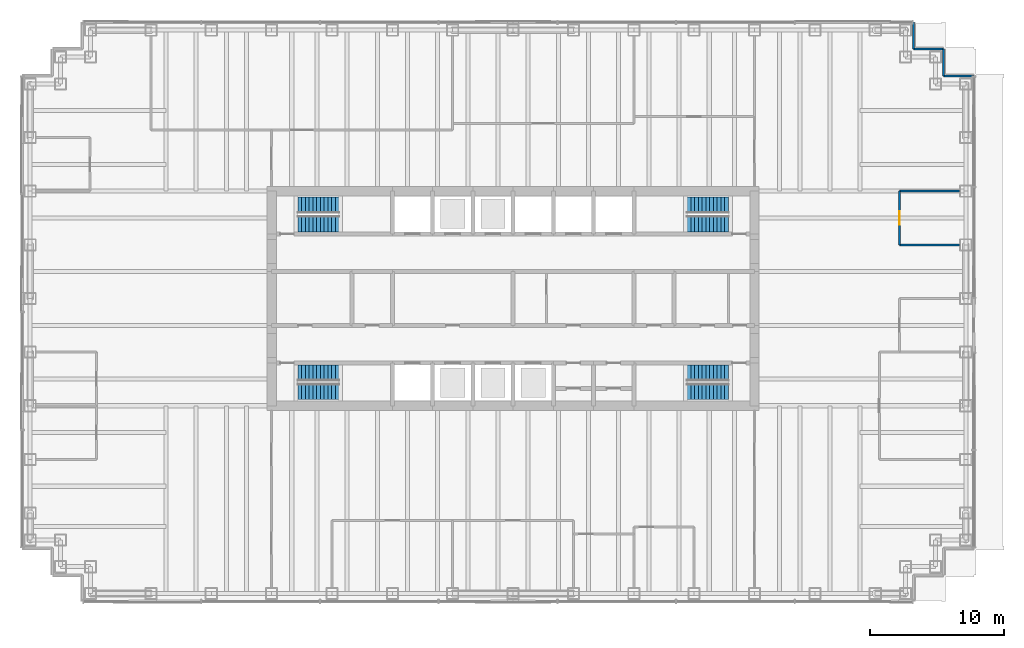
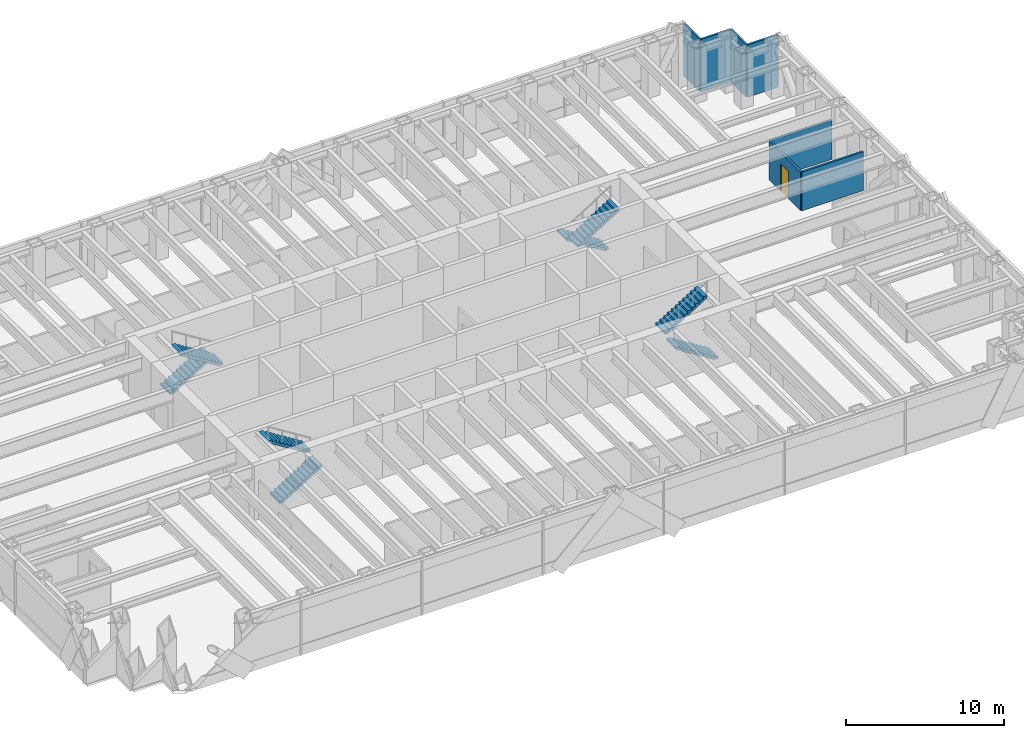
# One storey, part 10 of 12: 8 stair flights, 7 walls, 1 door, 1 opening, 4 elements without a shape of their own.
"""IFC4 building model written with IfcOpenShell, lengths in metres."""

from ifc_helpers import new_model, si_unit, direction, frame, frame_2d, origin, place, context, subcontext, project, spatial, polyline, rectangle, outline, extrude, material, layer, layer_set, type_object, element, fill, aggregate, save


model = new_model("IFC4")

# Units and contexts
model_context = context("Model", 3, precision=1e-05, world=origin(), true_north=direction((0.0, 1.0)))
body_context = subcontext(model_context, "Body", "Model", "MODEL_VIEW")
ifc_project = project(units=[si_unit("LENGTHUNIT", "METRE"), si_unit("AREAUNIT", "SQUARE_METRE"), si_unit("VOLUMEUNIT", "CUBIC_METRE"), si_unit("PLANEANGLEUNIT", "RADIAN"), si_unit("MASSUNIT", "GRAM", prefix="KILO")], contexts=[model_context])

# Site, building, storey
site_placement = place(None, origin())
site = spatial("IfcSite", under=ifc_project, at=site_placement, CompositionType="ELEMENT")
building_placement = place(site_placement, origin())
building = spatial("IfcBuilding", under=site, at=building_placement, Name="Rheinbord Bourse Tower", CompositionType="ELEMENT")
storey_placement = place(building_placement, frame((0.0, 0.0, 271.10009765625)))
storey = spatial("IfcBuildingStorey", under=building, at=storey_placement, Name="L61", CompositionType="ELEMENT", Elevation=271.10009765625)

# Walls
ifc_material_1 = material(Name="Black metal rainscreen panel", Category="aluminium")
ifc_layer_1 = layer(ifc_material_1, 0.14990234375)
ifc_layer_set_1 = layer_set([ifc_layer_1], Name="CORNER PIER CLADDING 150")
wall_type_1 = type_object("IfcWallType", Name="CORNER PIER CLADDING 150", PredefinedType="ELEMENTEDWALL", material=ifc_layer_set_1)
wall_1_placement = place(storey_placement, frame((70.35009765625, 40.60009765625, 0.0), z_axis=(0.0, 0.0, 1.0), x_axis=(-1.0, 0.0, 0.0)))
element("IfcWall", 1, at=wall_1_placement, inside=storey, type_object=wall_type_1, Name="Corner pier cladding L61 9", PredefinedType="ELEMENTEDWALL", context=body_context, shape_type="SweptSolid", body=[
    extrude(rectangle(XDim=2.25, YDim=0.14990234375, at=frame_2d((1.125, 0.0))), origin(), (0.0, 0.0, 1.0), 4.039794921875),
])
wall_2_placement = place(storey_placement, frame((68.10009765625, 40.60009765625, 0.0), z_axis=(0.0, 0.0, 1.0), x_axis=(0.0, 1.0, 0.0)))
element("IfcWall", 2, at=wall_2_placement, inside=storey, type_object=wall_type_1, Name="Corner pier cladding L61 10", PredefinedType="ELEMENTEDWALL", context=body_context, shape_type="SweptSolid", body=[
    extrude(rectangle(XDim=2.0, YDim=0.14990234375, at=frame_2d((1.0, 0.0))), origin(), (0.0, 0.0, 1.0), 4.039794921875),
])
wall_3_placement = place(storey_placement, frame((68.10009765625, 42.60009765625, 0.0), z_axis=(0.0, 0.0, 1.0), x_axis=(-1.0, 0.0, 0.0)))
element("IfcWall", 3, at=wall_3_placement, inside=storey, type_object=wall_type_1, Name="Corner pier cladding L61 11", PredefinedType="ELEMENTEDWALL", context=body_context, shape_type="SweptSolid", body=[
    extrude(rectangle(XDim=2.25, YDim=0.14990234375, at=frame_2d((1.125, 0.0))), origin(), (0.0, 0.0, 1.0), 4.039794921875),
])
wall_4_placement = place(storey_placement, frame((65.85009765625, 42.60009765625, 0.0), z_axis=(0.0, 0.0, 1.0), x_axis=(0.0, 1.0, 0.0)))
element("IfcWall", 4, at=wall_4_placement, inside=storey, type_object=wall_type_1, Name="Corner pier cladding L61 12", PredefinedType="ELEMENTEDWALL", context=body_context, shape_type="SweptSolid", body=[
    extrude(rectangle(XDim=2.0, YDim=0.14990234375, at=frame_2d((1.0, 0.0))), origin(), (0.0, 0.0, 1.0), 4.039794921875),
])
ifc_material_2 = material(Name="Gypsum board partition", Category="gypsum board")
ifc_layer_2 = layer(ifc_material_2, 0.14990234375)
ifc_layer_set_2 = layer_set([ifc_layer_2], Name="PARTITION 150")
wall_type_2 = type_object("IfcWallType", Name="PARTITION 150", PredefinedType="PARTITIONING", material=ifc_layer_set_2)
for number, where, z_axis, x_axis, name in (
    (5, (64.800048828125, 28.0, 0.0), (0.0, 0.0, 1.0), (1.0, 0.0, 0.0), "Partition L61-11"),
    (6, (64.800048828125, 32.0, 0.0), (0.0, 0.0, 1.0), (1.0, 0.0, 0.0), "Partition L61-13"),
):
    element("IfcWall", number, at=place(storey_placement, frame(where, z_axis=z_axis, x_axis=x_axis)), inside=storey, type_object=wall_type_2, Name=name, PredefinedType="PARTITIONING", context=body_context, shape_type="SweptSolid", body=[
        extrude(rectangle(XDim=4.5, YDim=0.14990234375, at=frame_2d((2.25, 0.0))), origin(), (0.0, 0.0, 1.0), 3.0),
    ])

# Wall, opening, door
wall_5_placement = place(storey_placement, frame((64.800048828125, 28.0, 0.0), z_axis=(0.0, 0.0, 1.0), x_axis=(0.0, 1.0, 0.0)))
wall_5 = element("IfcWall", 7, at=wall_5_placement, inside=storey, type_object=wall_type_2, Name="Partition L61-35", PredefinedType="PARTITIONING", context=body_context, shape_type="SweptSolid", body=[
    extrude(rectangle(XDim=4.0, YDim=0.14990234375, at=frame_2d((2.0, 0.0))), origin(), (0.0, 0.0, 1.0), 3.0),
])
opening_placement = place(wall_5_placement, frame((1.5, 0.0, 0.0)))
opening = element("IfcOpeningElement", 8, at=opening_placement, cuts=wall_5, Name="Opening 61D09", PredefinedType="OPENING", context=body_context, shape_type="SweptSolid", body=[
    extrude(rectangle(XDim=1.0, YDim=2.10009765625, at=frame_2d((0.5, 1.050048828125))), frame((0.0, 0.0849609375, 0.0), z_axis=(0.0, -1.0, 0.0), x_axis=(1.0, 0.0, 0.0)), (0.0, 0.0, 1.0), 0.169921875),
])
ifc_material_3 = material(Name="Timber door", Category="wood")
door_type = type_object("IfcDoorType", Name="ROOM DOOR 1000", OperationType="SINGLE_SWING_LEFT", PredefinedType="DOOR", material=ifc_material_3)
door_placement = place(opening_placement, origin())
door = element("IfcDoor", 9, at=door_placement, inside=storey, type_object=door_type, Name="Club office door L61", OperationType="SINGLE_SWING_LEFT", OverallHeight=2.10009765625, OverallWidth=1.0, PredefinedType="DOOR", context=body_context, shape_type="SweptSolid", body=[
    extrude(rectangle(XDim=1.0, YDim=2.10009765625, at=frame_2d((0.5, 1.050048828125))), frame((0.0, 0.02490234375, 0.0), z_axis=(0.0, -1.0, 0.0), x_axis=(1.0, 0.0, 0.0)), (0.0, 0.0, 1.0), 0.050048828125),
])
fill(opening, door)

# Stair, stair flights
ifc_material_4 = material(Name="Concrete C30/37", Category="concrete")
stair_type = type_object("IfcStairType", Name="CORE STAIR HALF TURN 4200", PredefinedType="HALF_TURN_STAIR", material=ifc_material_4)
stair_1_placement = place(storey_placement, origin())
stair_1 = element("IfcStair", 10, at=stair_1_placement, inside=storey, type_object=stair_type, Name="Stair ST1 L61, type CS6", PredefinedType="HALF_TURN_STAIR")
ifc_material_5 = material(Name="Concrete C30/37", Category="concrete")
stair_flight_type = type_object("IfcStairFlightType", Name="CORE STAIR FLIGHT 1200, 12 RISERS", PredefinedType="STRAIGHT", material=ifc_material_5)
stair_flight_1_placement = place(storey_placement, frame((19.949951171875, 17.050048828125, 0.0), z_axis=(0.0, 0.0, 1.0), x_axis=(1.0, 0.0, 0.0)))
stair_flight_1 = element("IfcStairFlight", 11, at=stair_flight_1_placement, type_object=stair_flight_type, Name="STAIR L61 ST1 F1", NumberOfRisers=12, NumberOfTreads=11, PredefinedType="STRAIGHT", RiserHeight=0.175, TreadLength=0.28, context=body_context, shape_type="SweptSolid", body=[
    extrude(outline(polyline([(0.0, 0.0), (0.0, 0.175048828125), (0.280029296875, 0.175048828125), (0.280029296875, 0.35009765625), (0.56005859375, 0.35009765625), (0.56005859375, 0.52490234375), (0.840087890625, 0.52490234375), (0.840087890625, 0.699951171875), (1.1201171875, 0.699951171875), (1.1201171875, 0.875), (1.39990234375, 0.875), (1.39990234375, 1.050048828125), (1.679931640625, 1.050048828125), (1.679931640625, 1.22509765625), (1.9599609375, 1.22509765625), (1.9599609375, 1.39990234375), (2.239990234375, 1.39990234375), (2.239990234375, 1.574951171875), (2.52001953125, 1.574951171875), (2.52001953125, 1.75), (2.800048828125, 1.75), (2.800048828125, 1.925048828125), (3.080078125, 1.925048828125), (3.080078125, 2.10009765625), (3.080078125, 1.748291015625), (0.28271484375, 0.0), (0.0, 0.0)])), frame((0.0, 0.60009765625, 0.0), z_axis=(0.0, -1.0, 0.0), x_axis=(1.0, 0.0, 0.0)), (0.0, 0.0, 1.0), 1.199951171875),
])
stair_flight_2_placement = place(storey_placement, frame((23.030029296875, 18.449951171875, 2.099853515625), z_axis=(0.0, 0.0, 1.0), x_axis=(-1.0, 0.0, 0.0)))
stair_flight_2 = element("IfcStairFlight", 12, at=stair_flight_2_placement, type_object=stair_flight_type, Name="STAIR L61 ST1 F2", NumberOfRisers=12, NumberOfTreads=11, PredefinedType="STRAIGHT", RiserHeight=0.175, TreadLength=0.28, context=body_context, shape_type="SweptSolid", body=[
    extrude(outline(polyline([(0.0, 0.0), (0.0, 0.175048828125), (0.280029296875, 0.175048828125), (0.280029296875, 0.35009765625), (0.56005859375, 0.35009765625), (0.56005859375, 0.52490234375), (0.840087890625, 0.52490234375), (0.840087890625, 0.699951171875), (1.1201171875, 0.699951171875), (1.1201171875, 0.875), (1.39990234375, 0.875), (1.39990234375, 1.050048828125), (1.679931640625, 1.050048828125), (1.679931640625, 1.22509765625), (1.9599609375, 1.22509765625), (1.9599609375, 1.39990234375), (2.239990234375, 1.39990234375), (2.239990234375, 1.574951171875), (2.52001953125, 1.574951171875), (2.52001953125, 1.75), (2.800048828125, 1.75), (2.800048828125, 1.925048828125), (3.080078125, 1.925048828125), (3.080078125, 2.10009765625), (3.080078125, 1.748291015625), (0.28271484375, 0.0), (0.0, 0.0)])), frame((0.0, 0.60009765625, 0.0), z_axis=(0.0, -1.0, 0.0), x_axis=(1.0, 0.0, 0.0)), (0.0, 0.0, 1.0), 1.199951171875),
])
aggregate(stair_1, [stair_flight_1, stair_flight_2])

stair_2_placement = place(storey_placement, origin())
stair_2 = element("IfcStair", 13, at=stair_2_placement, inside=storey, type_object=stair_type, Name="Stair ST2 L61, type CS6", PredefinedType="HALF_TURN_STAIR")
stair_flight_3_placement = place(storey_placement, frame((19.949951171875, 30.949951171875, 0.0), z_axis=(0.0, 0.0, 1.0), x_axis=(1.0, 0.0, 0.0)))
stair_flight_3 = element("IfcStairFlight", 14, at=stair_flight_3_placement, type_object=stair_flight_type, Name="STAIR L61 ST2 F1", NumberOfRisers=12, NumberOfTreads=11, PredefinedType="STRAIGHT", RiserHeight=0.175, TreadLength=0.28, context=body_context, shape_type="SweptSolid", body=[
    extrude(outline(polyline([(0.0, 0.0), (0.0, 0.175048828125), (0.280029296875, 0.175048828125), (0.280029296875, 0.35009765625), (0.56005859375, 0.35009765625), (0.56005859375, 0.52490234375), (0.840087890625, 0.52490234375), (0.840087890625, 0.699951171875), (1.1201171875, 0.699951171875), (1.1201171875, 0.875), (1.39990234375, 0.875), (1.39990234375, 1.050048828125), (1.679931640625, 1.050048828125), (1.679931640625, 1.22509765625), (1.9599609375, 1.22509765625), (1.9599609375, 1.39990234375), (2.239990234375, 1.39990234375), (2.239990234375, 1.574951171875), (2.52001953125, 1.574951171875), (2.52001953125, 1.75), (2.800048828125, 1.75), (2.800048828125, 1.925048828125), (3.080078125, 1.925048828125), (3.080078125, 2.10009765625), (3.080078125, 1.748291015625), (0.28271484375, 0.0), (0.0, 0.0)])), frame((0.0, 0.60009765625, 0.0), z_axis=(0.0, -1.0, 0.0), x_axis=(1.0, 0.0, 0.0)), (0.0, 0.0, 1.0), 1.199951171875),
])
stair_flight_4_placement = place(storey_placement, frame((23.030029296875, 29.550048828125, 2.099853515625), z_axis=(0.0, 0.0, 1.0), x_axis=(-1.0, 0.0, 0.0)))
stair_flight_4 = element("IfcStairFlight", 15, at=stair_flight_4_placement, type_object=stair_flight_type, Name="STAIR L61 ST2 F2", NumberOfRisers=12, NumberOfTreads=11, PredefinedType="STRAIGHT", RiserHeight=0.175, TreadLength=0.28, context=body_context, shape_type="SweptSolid", body=[
    extrude(outline(polyline([(0.0, 0.0), (0.0, 0.175048828125), (0.280029296875, 0.175048828125), (0.280029296875, 0.35009765625), (0.56005859375, 0.35009765625), (0.56005859375, 0.52490234375), (0.840087890625, 0.52490234375), (0.840087890625, 0.699951171875), (1.1201171875, 0.699951171875), (1.1201171875, 0.875), (1.39990234375, 0.875), (1.39990234375, 1.050048828125), (1.679931640625, 1.050048828125), (1.679931640625, 1.22509765625), (1.9599609375, 1.22509765625), (1.9599609375, 1.39990234375), (2.239990234375, 1.39990234375), (2.239990234375, 1.574951171875), (2.52001953125, 1.574951171875), (2.52001953125, 1.75), (2.800048828125, 1.75), (2.800048828125, 1.925048828125), (3.080078125, 1.925048828125), (3.080078125, 2.10009765625), (3.080078125, 1.748291015625), (0.28271484375, 0.0), (0.0, 0.0)])), frame((0.0, 0.60009765625, 0.0), z_axis=(0.0, -1.0, 0.0), x_axis=(1.0, 0.0, 0.0)), (0.0, 0.0, 1.0), 1.199951171875),
])
aggregate(stair_2, [stair_flight_3, stair_flight_4])

stair_3_placement = place(storey_placement, origin())
stair_3 = element("IfcStair", 16, at=stair_3_placement, inside=storey, type_object=stair_type, Name="Stair ST3 L61, type CS6", PredefinedType="HALF_TURN_STAIR")
stair_flight_5_placement = place(storey_placement, frame((52.050048828125, 17.050048828125, 0.0), z_axis=(0.0, 0.0, 1.0), x_axis=(-1.0, 0.0, 0.0)))
stair_flight_5 = element("IfcStairFlight", 17, at=stair_flight_5_placement, type_object=stair_flight_type, Name="STAIR L61 ST3 F1", NumberOfRisers=12, NumberOfTreads=11, PredefinedType="STRAIGHT", RiserHeight=0.175, TreadLength=0.28, context=body_context, shape_type="SweptSolid", body=[
    extrude(outline(polyline([(0.0, 0.0), (0.0, 0.175048828125), (0.280029296875, 0.175048828125), (0.280029296875, 0.35009765625), (0.56005859375, 0.35009765625), (0.56005859375, 0.52490234375), (0.840087890625, 0.52490234375), (0.840087890625, 0.699951171875), (1.1201171875, 0.699951171875), (1.1201171875, 0.875), (1.39990234375, 0.875), (1.39990234375, 1.050048828125), (1.679931640625, 1.050048828125), (1.679931640625, 1.22509765625), (1.9599609375, 1.22509765625), (1.9599609375, 1.39990234375), (2.239990234375, 1.39990234375), (2.239990234375, 1.574951171875), (2.52001953125, 1.574951171875), (2.52001953125, 1.75), (2.800048828125, 1.75), (2.800048828125, 1.925048828125), (3.080078125, 1.925048828125), (3.080078125, 2.10009765625), (3.080078125, 1.748291015625), (0.28271484375, 0.0), (0.0, 0.0)])), frame((0.0, 0.60009765625, 0.0), z_axis=(0.0, -1.0, 0.0), x_axis=(1.0, 0.0, 0.0)), (0.0, 0.0, 1.0), 1.199951171875),
])
stair_flight_6_placement = place(storey_placement, frame((48.969970703125, 18.449951171875, 2.099853515625), z_axis=(0.0, 0.0, 1.0), x_axis=(1.0, 0.0, 0.0)))
stair_flight_6 = element("IfcStairFlight", 18, at=stair_flight_6_placement, type_object=stair_flight_type, Name="STAIR L61 ST3 F2", NumberOfRisers=12, NumberOfTreads=11, PredefinedType="STRAIGHT", RiserHeight=0.175, TreadLength=0.28, context=body_context, shape_type="SweptSolid", body=[
    extrude(outline(polyline([(0.0, 0.0), (0.0, 0.175048828125), (0.280029296875, 0.175048828125), (0.280029296875, 0.35009765625), (0.56005859375, 0.35009765625), (0.56005859375, 0.52490234375), (0.840087890625, 0.52490234375), (0.840087890625, 0.699951171875), (1.1201171875, 0.699951171875), (1.1201171875, 0.875), (1.39990234375, 0.875), (1.39990234375, 1.050048828125), (1.679931640625, 1.050048828125), (1.679931640625, 1.22509765625), (1.9599609375, 1.22509765625), (1.9599609375, 1.39990234375), (2.239990234375, 1.39990234375), (2.239990234375, 1.574951171875), (2.52001953125, 1.574951171875), (2.52001953125, 1.75), (2.800048828125, 1.75), (2.800048828125, 1.925048828125), (3.080078125, 1.925048828125), (3.080078125, 2.10009765625), (3.080078125, 1.748291015625), (0.28271484375, 0.0), (0.0, 0.0)])), frame((0.0, 0.60009765625, 0.0), z_axis=(0.0, -1.0, 0.0), x_axis=(1.0, 0.0, 0.0)), (0.0, 0.0, 1.0), 1.199951171875),
])
aggregate(stair_3, [stair_flight_5, stair_flight_6])

stair_4_placement = place(storey_placement, origin())
stair_4 = element("IfcStair", 19, at=stair_4_placement, inside=storey, type_object=stair_type, Name="Stair ST4 L61, type CS6", PredefinedType="HALF_TURN_STAIR")
stair_flight_7_placement = place(storey_placement, frame((52.050048828125, 30.949951171875, 0.0), z_axis=(0.0, 0.0, 1.0), x_axis=(-1.0, 0.0, 0.0)))
stair_flight_7 = element("IfcStairFlight", 20, at=stair_flight_7_placement, type_object=stair_flight_type, Name="STAIR L61 ST4 F1", NumberOfRisers=12, NumberOfTreads=11, PredefinedType="STRAIGHT", RiserHeight=0.175, TreadLength=0.28, context=body_context, shape_type="SweptSolid", body=[
    extrude(outline(polyline([(0.0, 0.0), (0.0, 0.175048828125), (0.280029296875, 0.175048828125), (0.280029296875, 0.35009765625), (0.56005859375, 0.35009765625), (0.56005859375, 0.52490234375), (0.840087890625, 0.52490234375), (0.840087890625, 0.699951171875), (1.1201171875, 0.699951171875), (1.1201171875, 0.875), (1.39990234375, 0.875), (1.39990234375, 1.050048828125), (1.679931640625, 1.050048828125), (1.679931640625, 1.22509765625), (1.9599609375, 1.22509765625), (1.9599609375, 1.39990234375), (2.239990234375, 1.39990234375), (2.239990234375, 1.574951171875), (2.52001953125, 1.574951171875), (2.52001953125, 1.75), (2.800048828125, 1.75), (2.800048828125, 1.925048828125), (3.080078125, 1.925048828125), (3.080078125, 2.10009765625), (3.080078125, 1.748291015625), (0.28271484375, 0.0), (0.0, 0.0)])), frame((0.0, 0.60009765625, 0.0), z_axis=(0.0, -1.0, 0.0), x_axis=(1.0, 0.0, 0.0)), (0.0, 0.0, 1.0), 1.199951171875),
])
stair_flight_8_placement = place(storey_placement, frame((48.969970703125, 29.550048828125, 2.099853515625), z_axis=(0.0, 0.0, 1.0), x_axis=(1.0, 0.0, 0.0)))
stair_flight_8 = element("IfcStairFlight", 21, at=stair_flight_8_placement, type_object=stair_flight_type, Name="STAIR L61 ST4 F2", NumberOfRisers=12, NumberOfTreads=11, PredefinedType="STRAIGHT", RiserHeight=0.175, TreadLength=0.28, context=body_context, shape_type="SweptSolid", body=[
    extrude(outline(polyline([(0.0, 0.0), (0.0, 0.175048828125), (0.280029296875, 0.175048828125), (0.280029296875, 0.35009765625), (0.56005859375, 0.35009765625), (0.56005859375, 0.52490234375), (0.840087890625, 0.52490234375), (0.840087890625, 0.699951171875), (1.1201171875, 0.699951171875), (1.1201171875, 0.875), (1.39990234375, 0.875), (1.39990234375, 1.050048828125), (1.679931640625, 1.050048828125), (1.679931640625, 1.22509765625), (1.9599609375, 1.22509765625), (1.9599609375, 1.39990234375), (2.239990234375, 1.39990234375), (2.239990234375, 1.574951171875), (2.52001953125, 1.574951171875), (2.52001953125, 1.75), (2.800048828125, 1.75), (2.800048828125, 1.925048828125), (3.080078125, 1.925048828125), (3.080078125, 2.10009765625), (3.080078125, 1.748291015625), (0.28271484375, 0.0), (0.0, 0.0)])), frame((0.0, 0.60009765625, 0.0), z_axis=(0.0, -1.0, 0.0), x_axis=(1.0, 0.0, 0.0)), (0.0, 0.0, 1.0), 1.199951171875),
])
aggregate(stair_4, [stair_flight_7, stair_flight_8])

save(model, "model.ifc")
